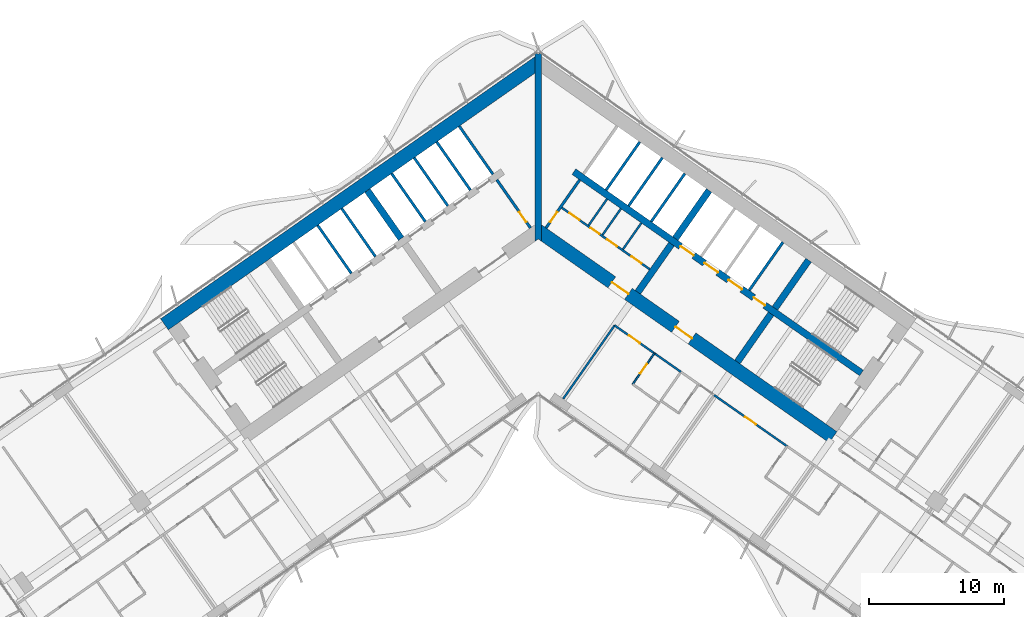
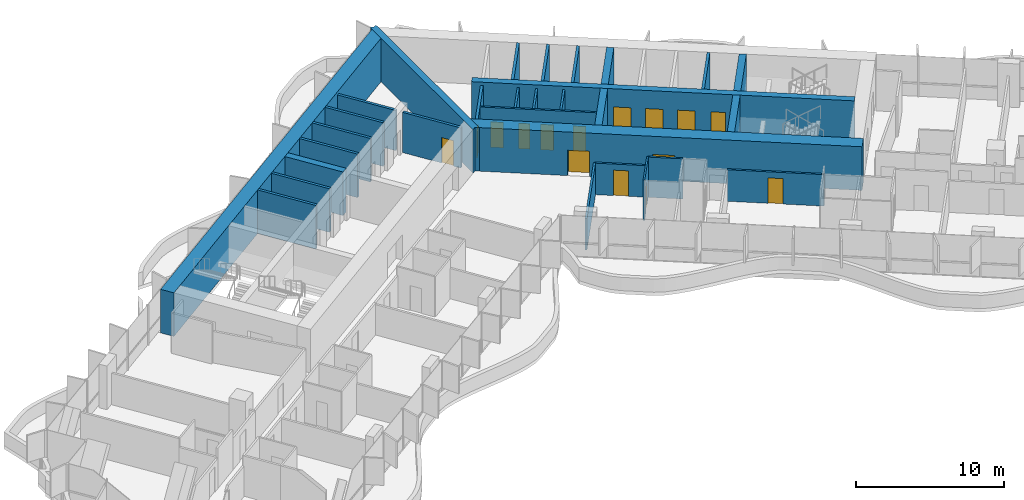
# One storey, part 14 of 23: 30 walls, 15 doors, 15 openings.
"""IFC4 building model written with IfcOpenShell, lengths in metres."""

from ifc_helpers import new_model, si_unit, direction, frame, frame_2d, origin, place, context, subcontext, project, spatial, polyline, rectangle, outline, extrude, material, layer, layer_set, type_object, element, fill, save


model = new_model("IFC4")

# Units and contexts
model_context = context("Model", 3, precision=1e-05, world=origin(), true_north=direction((0.0, 1.0)))
body_context = subcontext(model_context, "Body", "Model", "MODEL_VIEW")
ifc_project = project(units=[si_unit("LENGTHUNIT", "METRE"), si_unit("AREAUNIT", "SQUARE_METRE"), si_unit("VOLUMEUNIT", "CUBIC_METRE"), si_unit("PLANEANGLEUNIT", "RADIAN"), si_unit("MASSUNIT", "GRAM", prefix="KILO")], contexts=[model_context])

# Site, building, storey
site_placement = place(None, origin())
site = spatial("IfcSite", under=ifc_project, at=site_placement, CompositionType="ELEMENT")
building_placement = place(site_placement, origin())
building = spatial("IfcBuilding", under=site, at=building_placement, Name="Tel Ilan Convention Tower", CompositionType="ELEMENT")
storey_placement = place(building_placement, frame((0.0, 0.0, 94.10009765625)))
storey = spatial("IfcBuildingStorey", under=building, at=storey_placement, Name="L19", CompositionType="ELEMENT", Elevation=94.10009765625)

# Wall, openings, doors
ifc_material_1 = material(Name="Gypsum Plasterboard on Steel Stud", Category="steel")
ifc_layer_1 = layer(ifc_material_1, 0.14990234375)
ifc_layer_set_1 = layer_set([ifc_layer_1], Name="Core Room Partition Wall 150 mm EI 60")
wall_type_1 = type_object("IfcWallType", Name="Core Room Partition Wall 150 mm EI 60", PredefinedType="PARTITIONING", material=ifc_layer_set_1)
wall_1_placement = place(storey_placement, frame((1.7451171875, 1.097412109375, 0.0), z_axis=(0.0, 0.0, 1.0), x_axis=(0.819156890572, -0.573569515079, 0.0)))
wall_1 = element("IfcWall", 1, at=wall_1_placement, inside=storey, type_object=wall_type_1, Name="L19 core wall wc-h1", PredefinedType="PARTITIONING", context=body_context, shape_type="SweptSolid", body=[
    extrude(rectangle(XDim=7.949951171875, YDim=0.14990234375, at=frame_2d((3.97509765625, 0.0))), origin(), (0.0, 0.0, 1.0), 3.31982421875),
])
opening_1_placement = place(wall_1_placement, frame((0.699951171875, 0.0, 0.0)))
opening_1 = element("IfcOpeningElement", 2, at=opening_1_placement, cuts=wall_1, Name="Opening CD1710", PredefinedType="OPENING", context=body_context, shape_type="SweptSolid", body=[
    extrude(rectangle(XDim=0.89990234375, YDim=2.10009765625, at=frame_2d((0.449951171875, 1.050048828125))), frame((0.0, 0.0849609375, 0.0), z_axis=(0.0, -1.0, 0.0), x_axis=(1.0, 0.0, 0.0)), (0.0, 0.0, 1.0), 0.169921875),
])
opening_2_placement = place(wall_1_placement, frame((2.60009765625, 0.0, 0.0)))
opening_2 = element("IfcOpeningElement", 3, at=opening_2_placement, cuts=wall_1, Name="Opening CD1709", PredefinedType="OPENING", context=body_context, shape_type="SweptSolid", body=[
    extrude(rectangle(XDim=0.800048828125, YDim=2.10009765625, at=frame_2d((0.39990234375, 1.050048828125))), frame((0.0, 0.0849609375, 0.0), z_axis=(0.0, -1.0, 0.0), x_axis=(1.0, 0.0, 0.0)), (0.0, 0.0, 1.0), 0.169921875),
])
opening_3_placement = place(wall_1_placement, frame((4.10009765625, 0.0, 0.0)))
opening_3 = element("IfcOpeningElement", 4, at=opening_3_placement, cuts=wall_1, Name="Opening CD1708", PredefinedType="OPENING", context=body_context, shape_type="SweptSolid", body=[
    extrude(rectangle(XDim=0.89990234375, YDim=2.10009765625, at=frame_2d((0.449951171875, 1.050048828125))), frame((0.0, 0.0849609375, 0.0), z_axis=(0.0, -1.0, 0.0), x_axis=(1.0, 0.0, 0.0)), (0.0, 0.0, 1.0), 0.169921875),
])
opening_4_placement = place(wall_1_placement, frame((6.300048828125, 0.0, 0.0)))
opening_4 = element("IfcOpeningElement", 5, at=opening_4_placement, cuts=wall_1, Name="Opening CD1711", PredefinedType="OPENING", context=body_context, shape_type="SweptSolid", body=[
    extrude(rectangle(XDim=0.89990234375, YDim=2.10009765625, at=frame_2d((0.449951171875, 1.050048828125))), frame((0.0, 0.0849609375, 0.0), z_axis=(0.0, -1.0, 0.0), x_axis=(1.0, 0.0, 0.0)), (0.0, 0.0, 1.0), 0.169921875),
])
ifc_material_2 = material(Name="Galvanised Steel Door Leaf", Category="steel")
door_type_1 = type_object("IfcDoorType", Name="Store Door 800 x 2100 FD60", OperationType="NOTDEFINED", PredefinedType="DOOR", material=ifc_material_2)
door_1_placement = place(opening_2_placement, origin())
door_1 = element("IfcDoor", 6, at=door_1_placement, inside=storey, type_object=door_type_1, Name="Cleaner's store door", OperationType="SINGLE_SWING_RIGHT", OverallHeight=2.10009765625, OverallWidth=0.800048828125, PredefinedType="DOOR", context=body_context, shape_type="SweptSolid", body=[
    extrude(rectangle(XDim=0.800048828125, YDim=2.10009765625, at=frame_2d((0.39990234375, 1.050048828125))), frame((0.0, 0.02490234375, 0.0), z_axis=(0.0, -1.0, 0.0), x_axis=(1.0, 0.0, 0.0)), (0.0, 0.0, 1.0), 0.050048828125),
])
fill(opening_2, door_1)
ifc_material_3 = material(Name="Laminated Timber Door Leaf", Category="wood")
door_type_2 = type_object("IfcDoorType", Name="Toilet Door 900 x 2100 FD30S", OperationType="NOTDEFINED", PredefinedType="DOOR", material=ifc_material_3)
door_2_placement = place(opening_1_placement, origin())
door_2 = element("IfcDoor", 7, at=door_2_placement, inside=storey, type_object=door_type_2, Name="Men's WC door", OperationType="SINGLE_SWING_RIGHT", OverallHeight=2.10009765625, OverallWidth=0.89990234375, PredefinedType="DOOR", context=body_context, shape_type="SweptSolid", body=[
    extrude(rectangle(XDim=0.89990234375, YDim=2.10009765625, at=frame_2d((0.449951171875, 1.050048828125))), frame((0.0, 0.02490234375, 0.0), z_axis=(0.0, -1.0, 0.0), x_axis=(1.0, 0.0, 0.0)), (0.0, 0.0, 1.0), 0.050048828125),
])
fill(opening_1, door_2)
door_3_placement = place(opening_3_placement, origin())
door_3 = element("IfcDoor", 8, at=door_3_placement, inside=storey, type_object=door_type_2, Name="Accessible WC door", OperationType="SINGLE_SWING_RIGHT", OverallHeight=2.10009765625, OverallWidth=0.89990234375, PredefinedType="DOOR", context=body_context, shape_type="SweptSolid", body=[
    extrude(rectangle(XDim=0.89990234375, YDim=2.10009765625, at=frame_2d((0.449951171875, 1.050048828125))), frame((0.0, 0.02490234375, 0.0), z_axis=(0.0, -1.0, 0.0), x_axis=(1.0, 0.0, 0.0)), (0.0, 0.0, 1.0), 0.050048828125),
])
fill(opening_3, door_3)
door_4_placement = place(opening_4_placement, origin())
door_4 = element("IfcDoor", 9, at=door_4_placement, inside=storey, type_object=door_type_2, Name="Women's WC door", OperationType="SINGLE_SWING_RIGHT", OverallHeight=2.10009765625, OverallWidth=0.89990234375, PredefinedType="DOOR", context=body_context, shape_type="SweptSolid", body=[
    extrude(rectangle(XDim=0.89990234375, YDim=2.10009765625, at=frame_2d((0.449951171875, 1.050048828125))), frame((0.0, 0.02490234375, 0.0), z_axis=(0.0, -1.0, 0.0), x_axis=(1.0, 0.0, 0.0)), (0.0, 0.0, 1.0), 0.050048828125),
])
fill(opening_4, door_4)

# Walls
for number, where, z_axis, x_axis, name in (
    (10, (3.733642578125, -0.203369140625, 0.0), (0.0, 0.0, 1.0), (0.573579618003, 0.819149816463, 0.0), "L19 core wall wc-v0"),
    (11, (4.757568359375, -0.92041015625, 0.0), (0.0, 0.0, 1.0), (0.573579618003, 0.819149816463, 0.0), "L19 core wall wc-v1"),
    (12, (6.27294921875, -1.9814453125, 0.0), (0.0, 0.0, 1.0), (0.573579618003, 0.819149816463, 0.0), "L19 core wall wc-v2"),
):
    element("IfcWall", number, at=place(storey_placement, frame(where, z_axis=z_axis, x_axis=x_axis)), inside=storey, type_object=wall_type_1, Name=name, PredefinedType="PARTITIONING", context=body_context, shape_type="SweptSolid", body=[
        extrude(rectangle(XDim=2.375, YDim=0.14990234375, at=frame_2d((1.1875, 0.0))), origin(), (0.0, 0.0, 1.0), 3.31982421875),
    ])

# Wall, opening, door
ifc_material_4 = material(Name="Concrete C30/37", Category="concrete")
ifc_layer_2 = layer(ifc_material_4, 0.199951171875)
ifc_layer_set_2 = layer_set([ifc_layer_2], Name="Core Service Room Wall 200 mm C30/37")
wall_type_2 = type_object("IfcWallType", Name="Core Service Room Wall 200 mm C30/37", PredefinedType="SOLIDWALL", material=ifc_layer_set_2)
wall_2_placement = place(storey_placement, frame((-0.573486328125, -0.401611328125, 0.0), z_axis=(0.0, 0.0, 1.0), x_axis=(-0.57356780395, 0.819158088694, 0.0)))
wall_2 = element("IfcWall", 13, at=wall_2_placement, inside=storey, type_object=wall_type_2, Name="L19 core wall apex-W", PredefinedType="SOLIDWALL", context=body_context, shape_type="SweptSolid", body=[
    extrude(rectangle(XDim=4.35009765625, YDim=0.199951171875, at=frame_2d((2.175048828125, 0.0))), origin(), (0.0, 0.0, 1.0), 3.31982421875),
])
opening_5_placement = place(wall_2_placement, frame((0.550048828125, 0.0, 0.0)))
opening_5 = element("IfcOpeningElement", 14, at=opening_5_placement, cuts=wall_2, Name="Opening CD1702", PredefinedType="OPENING", context=body_context, shape_type="SweptSolid", body=[
    extrude(rectangle(XDim=0.89990234375, YDim=2.10009765625, at=frame_2d((0.449951171875, 1.050048828125))), frame((0.0, 0.10986328125, 0.0), z_axis=(0.0, -1.0, 0.0), x_axis=(1.0, 0.0, 0.0)), (0.0, 0.0, 1.0), 0.219970703125),
])
ifc_material_5 = material(Name="Galvanised Steel Door Leaf", Category="steel")
door_type_3 = type_object("IfcDoorType", Name="Service Room Door 900 x 2100 FD60", OperationType="NOTDEFINED", PredefinedType="DOOR", material=ifc_material_5)
door_5_placement = place(opening_5_placement, origin())
door_5 = element("IfcDoor", 15, at=door_5_placement, inside=storey, type_object=door_type_3, Name="Riser Room door", OperationType="SINGLE_SWING_RIGHT", OverallHeight=2.10009765625, OverallWidth=0.89990234375, PredefinedType="DOOR", context=body_context, shape_type="SweptSolid", body=[
    extrude(rectangle(XDim=0.89990234375, YDim=2.10009765625, at=frame_2d((0.449951171875, 1.050048828125))), frame((0.0, 0.02490234375, 0.0), z_axis=(0.0, -1.0, 0.0), x_axis=(1.0, 0.0, 0.0)), (0.0, 0.0, 1.0), 0.050048828125),
])
fill(opening_5, door_5)

# Wall
wall_3_placement = place(storey_placement, frame((-3.355224609375, 3.5712890625, 0.0), z_axis=(0.0, 0.0, 1.0), x_axis=(-0.57356780395, 0.819158088694, 0.0)))
element("IfcWall", 16, at=wall_3_placement, inside=storey, type_object=wall_type_2, Name="L19 core wall apex-W-b", PredefinedType="SOLIDWALL", context=body_context, shape_type="SweptSolid", body=[
    extrude(rectangle(XDim=4.35009765625, YDim=0.199951171875, at=frame_2d((2.175048828125, 0.0))), origin(), (0.0, 0.0, 1.0), 3.31982421875),
])

# Wall, opening, door
wall_4_placement = place(storey_placement, frame((0.573486328125, -0.401611328125, 0.0), z_axis=(0.0, 0.0, 1.0), x_axis=(0.57356780395, 0.819158088694, 0.0)))
wall_4 = element("IfcWall", 17, at=wall_4_placement, inside=storey, type_object=wall_type_2, Name="L19 core wall apex-E", PredefinedType="SOLIDWALL", context=body_context, shape_type="SweptSolid", body=[
    extrude(rectangle(XDim=4.35009765625, YDim=0.199951171875, at=frame_2d((2.175048828125, 0.0))), origin(), (0.0, 0.0, 1.0), 3.31982421875),
])
opening_6_placement = place(wall_4_placement, frame((0.550048828125, 0.0, 0.0)))
opening_6 = element("IfcOpeningElement", 18, at=opening_6_placement, cuts=wall_4, Name="Opening CD1701", PredefinedType="OPENING", context=body_context, shape_type="SweptSolid", body=[
    extrude(rectangle(XDim=0.89990234375, YDim=2.10009765625, at=frame_2d((0.449951171875, 1.050048828125))), frame((0.0, 0.10986328125, 0.0), z_axis=(0.0, -1.0, 0.0), x_axis=(1.0, 0.0, 0.0)), (0.0, 0.0, 1.0), 0.219970703125),
])
door_6_placement = place(opening_6_placement, origin())
door_6 = element("IfcDoor", 19, at=door_6_placement, inside=storey, type_object=door_type_3, Name="Electrical Room door", OperationType="SINGLE_SWING_RIGHT", OverallHeight=2.10009765625, OverallWidth=0.89990234375, PredefinedType="DOOR", context=body_context, shape_type="SweptSolid", body=[
    extrude(rectangle(XDim=0.89990234375, YDim=2.10009765625, at=frame_2d((0.449951171875, 1.050048828125))), frame((0.0, 0.02490234375, 0.0), z_axis=(0.0, -1.0, 0.0), x_axis=(1.0, 0.0, 0.0)), (0.0, 0.0, 1.0), 0.050048828125),
])
fill(opening_6, door_6)

# Wall
ifc_material_6 = material(Name="Concrete C60/75", Category="concrete")
ifc_layer_3 = layer(ifc_material_6, 1.0)
ifc_layer_set_3 = layer_set([ifc_layer_3], Name="Core Shear Wall 1000 mm C60/75")
wall_type_3 = type_object("IfcWallType", Name="Core Shear Wall 1000 mm C60/75", PredefinedType="SHEAR", material=ifc_layer_set_3)
wall_5_placement = place(storey_placement, frame((0.036865234375, 11.8671875, 0.0), z_axis=(0.0, 0.0, 1.0), x_axis=(-0.819155306259, -0.573571777746, 0.0)))
element("IfcWall", 20, at=wall_5_placement, inside=storey, type_object=wall_type_3, Name="L19 core wall W-back", PredefinedType="SHEAR", context=body_context, shape_type="SweptSolid", body=[
    extrude(outline(polyline([(33.8369140625, 0.5), (0.7001953125, 0.499755859375), (0.0, -0.5), (33.8369140625, -0.5), (33.8369140625, 0.5)])), origin(), (0.0, 0.0, 1.0), 3.599853515625),
])

# Wall, openings, doors
wall_6_placement = place(storey_placement, frame((-0.036865234375, -0.584716796875, 0.0), z_axis=(0.0, 0.0, 1.0), x_axis=(0.819157152511, -0.573569140985, 0.0)))
wall_6 = element("IfcWall", 21, at=wall_6_placement, inside=storey, type_object=wall_type_3, Name="L19 core wall E-front", PredefinedType="SHEAR", context=body_context, shape_type="SweptSolid", body=[
    extrude(outline(polyline([(26.69482421875, 0.499755859375), (0.0, 0.5), (0.7001953125, -0.499755859375), (26.69482421875, -0.500244140625), (26.69482421875, 0.499755859375)])), origin(), (0.0, 0.0, 1.0), 3.599853515625),
])
opening_7_placement = place(wall_6_placement, frame((6.69482421875, 0.0, 0.0)))
opening_7 = element("IfcOpeningElement", 22, at=opening_7_placement, cuts=wall_6, Name="Opening CD1703", PredefinedType="OPENING", context=body_context, shape_type="SweptSolid", body=[
    extrude(rectangle(XDim=1.5, YDim=2.10009765625, at=frame_2d((0.75, 1.050048828125))), frame((0.0, 0.510009765625, 0.0), z_axis=(0.0, -1.0, 0.0), x_axis=(1.0, 0.0, 0.0)), (0.0, 0.0, 1.0), 1.02001953125),
])
opening_8_placement = place(wall_6_placement, frame((12.44482421875, 0.0, 0.0)))
opening_8 = element("IfcOpeningElement", 23, at=opening_8_placement, cuts=wall_6, Name="Opening CD1704", PredefinedType="OPENING", context=body_context, shape_type="SweptSolid", body=[
    extrude(rectangle(XDim=1.5, YDim=2.10009765625, at=frame_2d((0.75, 1.050048828125))), frame((0.0, 0.510009765625, 0.0), z_axis=(0.0, -1.0, 0.0), x_axis=(1.0, 0.0, 0.0)), (0.0, 0.0, 1.0), 1.02001953125),
])
ifc_material_7 = material(Name="Glazed Aluminium Door Leaf", Category="aluminium")
door_type_4 = type_object("IfcDoorType", Name="Lobby Opening Door 1500 x 2100 FD60S", OperationType="NOTDEFINED", PredefinedType="DOOR", material=ifc_material_7)
door_7_placement = place(opening_8_placement, origin())
door_7 = element("IfcDoor", 24, at=door_7_placement, inside=storey, type_object=door_type_4, Name="Firefighting Lobby door", OperationType="DOUBLE_DOOR_SINGLE_SWING", OverallHeight=2.10009765625, OverallWidth=1.5, PredefinedType="DOOR", context=body_context, shape_type="SweptSolid", body=[
    extrude(rectangle(XDim=1.5, YDim=2.10009765625, at=frame_2d((0.75, 1.050048828125))), frame((0.0, 0.02490234375, 0.0), z_axis=(0.0, -1.0, 0.0), x_axis=(1.0, 0.0, 0.0)), (0.0, 0.0, 1.0), 0.050048828125),
])
fill(opening_8, door_7)
ifc_material_8 = material(Name="Laminated Timber Door Leaf", Category="wood")
door_type_5 = type_object("IfcDoorType", Name="Toilet Door 1500 x 2100 FD30S", OperationType="NOTDEFINED", PredefinedType="DOOR", material=ifc_material_8)
door_8_placement = place(opening_7_placement, origin())
door_8 = element("IfcDoor", 25, at=door_8_placement, inside=storey, type_object=door_type_5, Name="WC Lobby door", OperationType="SINGLE_SWING_RIGHT", OverallHeight=2.10009765625, OverallWidth=1.5, PredefinedType="DOOR", context=body_context, shape_type="SweptSolid", body=[
    extrude(rectangle(XDim=1.5, YDim=2.10009765625, at=frame_2d((0.75, 1.050048828125))), frame((0.0, 0.02490234375, 0.0), z_axis=(0.0, -1.0, 0.0), x_axis=(1.0, 0.0, 0.0)), (0.0, 0.0, 1.0), 0.050048828125),
])
fill(opening_7, door_8)

# Walls
ifc_material_9 = material(Name="Concrete C60/75", Category="concrete")
ifc_layer_4 = layer(ifc_material_9, 0.5)
ifc_layer_set_4 = layer_set([ifc_layer_4], Name="Core Shear Wall 500 mm C60/75")
wall_type_4 = type_object("IfcWallType", Name="Core Shear Wall 500 mm C60/75", PredefinedType="SHEAR", material=ifc_layer_set_4)
wall_7_placement = place(storey_placement, frame((-10.154296875, -1.189208984375, 0.0), z_axis=(0.0, 0.0, 1.0), x_axis=(-0.573594173421, 0.819139624372, 0.0)))
element("IfcWall", 26, at=wall_7_placement, inside=storey, type_object=wall_type_4, Name="L19 core wall W-cross1-2", PredefinedType="SHEAR", context=body_context, shape_type="SweptSolid", body=[
    extrude(outline(polyline([(4.349853515625, -0.25), (4.349853515625, 0.25), (-0.000244140625, 0.25), (-0.000244140625, -0.25), (4.349853515625, -0.25)])), origin(), (0.0, 0.0, 1.0), 3.599853515625),
])
wall_8_placement = place(storey_placement, frame((7.372314453125, -5.162109375, 0.0), z_axis=(0.0, 0.0, 1.0), x_axis=(0.573594173421, 0.819139624372, 0.0)))
element("IfcWall", 27, at=wall_8_placement, inside=storey, type_object=wall_type_4, Name="L19 core wall E-cross1-1", PredefinedType="SHEAR", context=body_context, shape_type="SweptSolid", body=[
    extrude(outline(polyline([(0.0, 0.25), (0.0, -0.250244140625), (4.349853515625, -0.25), (4.349853515625, 0.25), (0.0, 0.25)])), origin(), (0.0, 0.0, 1.0), 3.599853515625),
])
wall_9_placement = place(storey_placement, frame((10.154296875, -1.189208984375, 0.0), z_axis=(0.0, 0.0, 1.0), x_axis=(0.573594173421, 0.819139624372, 0.0)))
element("IfcWall", 28, at=wall_9_placement, inside=storey, type_object=wall_type_4, Name="L19 core wall E-cross1-2", PredefinedType="SHEAR", context=body_context, shape_type="SweptSolid", body=[
    extrude(outline(polyline([(4.349853515625, -0.25), (4.349853515625, 0.25), (-0.000244140625, 0.25), (-0.000244140625, -0.25), (4.349853515625, -0.25)])), origin(), (0.0, 0.0, 1.0), 3.599853515625),
])
wall_10_placement = place(storey_placement, frame((14.74462890625, -10.324462890625, 0.0), z_axis=(0.0, 0.0, 1.0), x_axis=(0.57356780395, 0.819158088694, 0.0)))
element("IfcWall", 29, at=wall_10_placement, inside=storey, type_object=wall_type_4, Name="L19 core wall E-cross2-1", PredefinedType="SHEAR", context=body_context, shape_type="SweptSolid", body=[
    extrude(outline(polyline([(0.0, 0.25), (0.0, -0.25), (4.35009765625, -0.250244140625), (4.35009765625, 0.25), (0.0, 0.25)])), origin(), (0.0, 0.0, 1.0), 3.599853515625),
])
wall_11_placement = place(storey_placement, frame((17.526611328125, -6.3515625, 0.0), z_axis=(0.0, 0.0, 1.0), x_axis=(0.573530143085, 0.819184457233, 0.0)))
element("IfcWall", 30, at=wall_11_placement, inside=storey, type_object=wall_type_4, Name="L19 core wall E-cross2-2", PredefinedType="SHEAR", context=body_context, shape_type="SweptSolid", body=[
    extrude(outline(polyline([(4.35009765625, -0.250244140625), (4.35009765625, 0.249755859375), (0.0, 0.25), (0.0, -0.25), (4.35009765625, -0.250244140625)])), origin(), (0.0, 0.0, 1.0), 3.599853515625),
])

# Wall, openings, doors
wall_12_placement = place(storey_placement, frame((2.638427734375, 3.76806640625, 0.0), z_axis=(0.0, 0.0, 1.0), x_axis=(0.819148977158, -0.573580816643, 0.0)))
wall_12 = element("IfcWall", 31, at=wall_12_placement, inside=storey, type_object=wall_type_4, Name="L19 core wall E-spine", PredefinedType="SHEAR", context=body_context, shape_type="SweptSolid", body=[
    extrude(outline(polyline([(0.0, 0.25), (0.0, -0.25), (26.0, -0.249755859375), (26.0, 0.250244140625), (0.0, 0.25)])), origin(), (0.0, 0.0, 1.0), 3.599853515625),
])
opening_9_placement = place(wall_12_placement, frame((9.637451171875, 0.0, 0.0)))
opening_9 = element("IfcOpeningElement", 32, at=opening_9_placement, cuts=wall_12, Name="Opening LD1701", PredefinedType="OPENING", context=body_context, shape_type="SweptSolid", body=[
    extrude(rectangle(XDim=1.199951171875, YDim=2.10009765625, at=frame_2d((0.60009765625, 1.050048828125))), frame((0.0, 0.260009765625, 0.0), z_axis=(0.0, -1.0, 0.0), x_axis=(1.0, 0.0, 0.0)), (0.0, 0.0, 1.0), 0.52001953125),
])
opening_10_placement = place(wall_12_placement, frame((11.8125, 0.0, 0.0)))
opening_10 = element("IfcOpeningElement", 33, at=opening_10_placement, cuts=wall_12, Name="Opening LD1702", PredefinedType="OPENING", context=body_context, shape_type="SweptSolid", body=[
    extrude(rectangle(XDim=1.199951171875, YDim=2.10009765625, at=frame_2d((0.60009765625, 1.050048828125))), frame((0.0, 0.260009765625, 0.0), z_axis=(0.0, -1.0, 0.0), x_axis=(1.0, 0.0, 0.0)), (0.0, 0.0, 1.0), 0.52001953125),
])
opening_11_placement = place(wall_12_placement, frame((13.987548828125, 0.0, 0.0)))
opening_11 = element("IfcOpeningElement", 34, at=opening_11_placement, cuts=wall_12, Name="Opening LD1703", PredefinedType="OPENING", context=body_context, shape_type="SweptSolid", body=[
    extrude(rectangle(XDim=1.199951171875, YDim=2.10009765625, at=frame_2d((0.60009765625, 1.050048828125))), frame((0.0, 0.260009765625, 0.0), z_axis=(0.0, -1.0, 0.0), x_axis=(1.0, 0.0, 0.0)), (0.0, 0.0, 1.0), 0.52001953125),
])
opening_12_placement = place(wall_12_placement, frame((16.262451171875, 0.0, 0.0)))
opening_12 = element("IfcOpeningElement", 35, at=opening_12_placement, cuts=wall_12, Name="Opening CD1707", PredefinedType="OPENING", context=body_context, shape_type="SweptSolid", body=[
    extrude(rectangle(XDim=1.0, YDim=2.10009765625, at=frame_2d((0.5, 1.050048828125))), frame((0.0, 0.260009765625, 0.0), z_axis=(0.0, -1.0, 0.0), x_axis=(1.0, 0.0, 0.0)), (0.0, 0.0, 1.0), 0.52001953125),
])
ifc_material_10 = material(Name="Stainless Steel Sliding Door Leaf", Category="steel")
door_type_6 = type_object("IfcDoorType", Name="Lift Landing Door 1200 x 2100 FD120", OperationType="NOTDEFINED", PredefinedType="DOOR", material=ifc_material_10)
door_9_placement = place(opening_9_placement, origin())
door_9 = element("IfcDoor", 36, at=door_9_placement, inside=storey, type_object=door_type_6, Name="Lift FL1 landing door", OperationType="SLIDING_TO_LEFT", OverallHeight=2.10009765625, OverallWidth=1.199951171875, PredefinedType="DOOR", context=body_context, shape_type="SweptSolid", body=[
    extrude(rectangle(XDim=1.199951171875, YDim=2.10009765625, at=frame_2d((0.60009765625, 1.050048828125))), frame((0.0, 0.02490234375, 0.0), z_axis=(0.0, -1.0, 0.0), x_axis=(1.0, 0.0, 0.0)), (0.0, 0.0, 1.0), 0.050048828125),
])
fill(opening_9, door_9)
door_10_placement = place(opening_10_placement, origin())
door_10 = element("IfcDoor", 37, at=door_10_placement, inside=storey, type_object=door_type_6, Name="Lift FL2 landing door", OperationType="SLIDING_TO_RIGHT", OverallHeight=2.10009765625, OverallWidth=1.199951171875, PredefinedType="DOOR", context=body_context, shape_type="SweptSolid", body=[
    extrude(rectangle(XDim=1.199951171875, YDim=2.10009765625, at=frame_2d((0.60009765625, 1.050048828125))), frame((0.0, 0.02490234375, 0.0), z_axis=(0.0, -1.0, 0.0), x_axis=(1.0, 0.0, 0.0)), (0.0, 0.0, 1.0), 0.050048828125),
])
fill(opening_10, door_10)
door_11_placement = place(opening_11_placement, origin())
door_11 = element("IfcDoor", 38, at=door_11_placement, inside=storey, type_object=door_type_6, Name="Lift FL3 landing door", OperationType="SLIDING_TO_LEFT", OverallHeight=2.10009765625, OverallWidth=1.199951171875, PredefinedType="DOOR", context=body_context, shape_type="SweptSolid", body=[
    extrude(rectangle(XDim=1.199951171875, YDim=2.10009765625, at=frame_2d((0.60009765625, 1.050048828125))), frame((0.0, 0.02490234375, 0.0), z_axis=(0.0, -1.0, 0.0), x_axis=(1.0, 0.0, 0.0)), (0.0, 0.0, 1.0), 0.050048828125),
])
fill(opening_11, door_11)
ifc_material_11 = material(Name="Galvanised Steel Door Leaf", Category="steel")
door_type_7 = type_object("IfcDoorType", Name="Service Room Door 1000 x 2100 FD60", OperationType="NOTDEFINED", PredefinedType="DOOR", material=ifc_material_11)
door_12_placement = place(opening_12_placement, origin())
door_12 = element("IfcDoor", 39, at=door_12_placement, inside=storey, type_object=door_type_7, Name="Plant Room door", OperationType="SINGLE_SWING_RIGHT", OverallHeight=2.10009765625, OverallWidth=1.0, PredefinedType="DOOR", context=body_context, shape_type="SweptSolid", body=[
    extrude(rectangle(XDim=1.0, YDim=2.10009765625, at=frame_2d((0.5, 1.050048828125))), frame((0.0, 0.02490234375, 0.0), z_axis=(0.0, -1.0, 0.0), x_axis=(1.0, 0.0, 0.0)), (0.0, 0.0, 1.0), 0.050048828125),
])
fill(opening_12, door_12)

# Wall
wall_13_placement = place(storey_placement, frame((0.0, -1.395751953125, 0.0), z_axis=(0.0, 0.0, 1.0), x_axis=(0.0, 1.0, 0.0)))
element("IfcWall", 40, at=wall_13_placement, inside=storey, type_object=wall_type_4, Name="L19 core wall K-central", PredefinedType="SHEAR", context=body_context, shape_type="SweptSolid", body=[
    extrude(outline(polyline([(0.0, -0.25), (0.175048828125, -0.25), (1.220703125, -0.25), (12.451904296875, -0.25), (13.84765625, -0.25), (13.85693359375, -0.25), (13.96826171875, -0.172119140625), (13.84765625, 0.0), (13.96826171875, 0.172119140625), (13.85693359375, 0.25), (13.84765625, 0.25), (12.451904296875, 0.25), (1.220703125, 0.25), (0.175048828125, 0.25), (0.0, 0.25), (0.175048828125, 0.0), (0.0, -0.25)])), origin(), (0.0, 0.0, 1.0), 3.599853515625),
])

# Wall, opening, door
ifc_material_12 = material(Name="Plasterboard on Steel Studs", Category="steel")
ifc_layer_5 = layer(ifc_material_12, 0.14990234375)
ifc_layer_set_5 = layer_set([ifc_layer_5], Name="Fire-rated Partition 150 EI 60")
wall_type_5 = type_object("IfcWallType", Name="Fire-rated Partition 150 EI 60", PredefinedType="PARTITIONING", material=ifc_layer_set_5)
wall_14_placement = place(storey_placement, frame((8.601318359375, -9.68505859375, 0.0), z_axis=(0.0, 0.0, 1.0), x_axis=(-0.819149096931, 0.573580645591, 0.0)))
wall_14 = element("IfcWall", 41, at=wall_14_placement, inside=storey, type_object=wall_type_5, Name="Partition 008", PredefinedType="PARTITIONING", context=body_context, shape_type="SweptSolid", body=[
    extrude(rectangle(XDim=3.600830078125, YDim=0.14990234375, at=frame_2d((1.80029296875, 0.0))), origin(), (0.0, 0.0, 1.0), 2.599853515625),
])
opening_13_placement = place(wall_14_placement, frame((1.301025390625, 0.0, 0.0)))
opening_13 = element("IfcOpeningElement", 42, at=opening_13_placement, cuts=wall_14, Name="Opening L19-017", PredefinedType="OPENING", context=body_context, shape_type="SweptSolid", body=[
    extrude(rectangle(XDim=1.0, YDim=2.10009765625, at=frame_2d((0.5, 1.050048828125))), frame((0.0, 0.0849609375, 0.0), z_axis=(0.0, -1.0, 0.0), x_axis=(1.0, 0.0, 0.0)), (0.0, 0.0, 1.0), 0.169921875),
])
ifc_material_13 = material(Name="Timber Door Leaf in Steel Frame", Category="steel")
door_type_8 = type_object("IfcDoorType", Name="Hotel Room Entrance Fire Door 1000x2100", OperationType="NOTDEFINED", PredefinedType="DOOR", material=ifc_material_13)
door_13_placement = place(opening_13_placement, origin())
door_13 = element("IfcDoor", 43, at=door_13_placement, inside=storey, type_object=door_type_8, Name="Door L19-017", OperationType="SINGLE_SWING_LEFT", OverallHeight=2.10009765625, OverallWidth=1.0, PredefinedType="DOOR", context=body_context, shape_type="SweptSolid", body=[
    extrude(rectangle(XDim=1.0, YDim=2.10009765625, at=frame_2d((0.5, 1.050048828125))), frame((0.0, 0.02490234375, 0.0), z_axis=(0.0, -1.0, 0.0), x_axis=(1.0, 0.0, 0.0)), (0.0, 0.0, 1.0), 0.050048828125),
])
fill(opening_13, door_13)

# Wall
wall_15_placement = place(storey_placement, frame((10.568115234375, -11.062255859375, 0.0), z_axis=(0.0, 0.0, 1.0), x_axis=(-0.819146032251, 0.573585022335, 0.0)))
element("IfcWall", 44, at=wall_15_placement, inside=storey, type_object=wall_type_5, Name="Partition 009", PredefinedType="PARTITIONING", context=body_context, shape_type="SweptSolid", body=[
    extrude(rectangle(XDim=2.404052734375, YDim=0.14990234375, at=frame_2d((1.2021484375, 0.0))), origin(), (0.0, 0.0, 1.0), 3.31982421875),
])

# Wall, opening, door
wall_16_placement = place(storey_placement, frame((18.43115234375, -16.568115234375, 0.0), z_axis=(0.0, 0.0, 1.0), x_axis=(-0.819141582452, 0.573591377113, 0.0)))
wall_16 = element("IfcWall", 45, at=wall_16_placement, inside=storey, type_object=wall_type_5, Name="Partition 012", PredefinedType="PARTITIONING", context=body_context, shape_type="SweptSolid", body=[
    extrude(rectangle(XDim=6.602783203125, YDim=0.14990234375, at=frame_2d((3.30126953125, 0.0))), origin(), (0.0, 0.0, 1.0), 2.599853515625),
])
opening_14_placement = place(wall_16_placement, frame((2.801025390625, 0.0, 0.0)))
opening_14 = element("IfcOpeningElement", 46, at=opening_14_placement, cuts=wall_16, Name="Opening L19-021", PredefinedType="OPENING", context=body_context, shape_type="SweptSolid", body=[
    extrude(rectangle(XDim=1.0, YDim=2.10009765625, at=frame_2d((0.5, 1.050048828125))), frame((0.0, 0.0849609375, 0.0), z_axis=(0.0, -1.0, 0.0), x_axis=(1.0, 0.0, 0.0)), (0.0, 0.0, 1.0), 0.169921875),
])
door_14_placement = place(opening_14_placement, origin())
door_14 = element("IfcDoor", 47, at=door_14_placement, inside=storey, type_object=door_type_8, Name="Door L19-021", OperationType="SINGLE_SWING_RIGHT", OverallHeight=2.10009765625, OverallWidth=1.0, PredefinedType="DOOR", context=body_context, shape_type="SweptSolid", body=[
    extrude(rectangle(XDim=1.0, YDim=2.10009765625, at=frame_2d((0.5, 1.050048828125))), frame((0.0, 0.02490234375, 0.0), z_axis=(0.0, -1.0, 0.0), x_axis=(1.0, 0.0, 0.0)), (0.0, 0.0, 1.0), 0.050048828125),
])
fill(opening_14, door_14)

# Walls
wall_17_placement = place(storey_placement, frame((1.848876953125, -13.050537109375, 0.0), z_axis=(0.0, 0.0, 1.0), x_axis=(0.57357355307, 0.819154063177, 0.0)))
element("IfcWall", 48, at=wall_17_placement, inside=storey, type_object=wall_type_5, Name="Partition 052", PredefinedType="PARTITIONING", context=body_context, shape_type="SweptSolid", body=[
    extrude(rectangle(XDim=6.6298828125, YDim=0.14990234375, at=frame_2d((3.31494140625, 0.0))), origin(), (0.0, 0.0, 1.0), 2.599853515625),
])
ifc_material_14 = material(Name="Concrete C30/37", Category="concrete")
ifc_layer_6 = layer(ifc_material_14, 0.199951171875)
ifc_layer_set_6 = layer_set([ifc_layer_6], Name="Lift Shaft Wall 200 mm C30/37")
wall_type_6 = type_object("IfcWallType", Name="Lift Shaft Wall 200 mm C30/37", PredefinedType="SOLIDWALL", material=ifc_layer_set_6)
wall_18_placement = place(storey_placement, frame((-5.0244140625, 2.402587890625, 0.0), z_axis=(0.0, 0.0, 1.0), x_axis=(-0.573530143085, 0.819184457233, 0.0)))
element("IfcWall", 49, at=wall_18_placement, inside=storey, type_object=wall_type_6, Name="L19 core wall bank-W1-p0", PredefinedType="SOLIDWALL", context=body_context, shape_type="SweptSolid", body=[
    extrude(rectangle(XDim=4.35009765625, YDim=0.199951171875, at=frame_2d((2.175048828125, 0.0))), origin(), (0.0, 0.0, 1.0), 3.599853515625),
])
for number, where, z_axis, x_axis, name in (
    (50, (-6.693359375, 1.234130859375, 0.0), (0.0, 0.0, 1.0), (-0.573594173421, 0.819139624372, 0.0), "L19 core wall bank-W1-p1"),
    (51, (-8.3623046875, 0.0654296875, 0.0), (0.0, 0.0, 1.0), (-0.573594173421, 0.819139624372, 0.0), "L19 core wall bank-W1-p2"),
    (52, (-12.05859375, -2.52294921875, 0.0), (0.0, 0.0, 1.0), (-0.573594173421, 0.819139624372, 0.0), "L19 core wall bank-W2-p0"),
):
    element("IfcWall", number, at=place(storey_placement, frame(where, z_axis=z_axis, x_axis=x_axis)), inside=storey, type_object=wall_type_6, Name=name, PredefinedType="SOLIDWALL", context=body_context, shape_type="SweptSolid", body=[
        extrude(rectangle(XDim=4.349853515625, YDim=0.199951171875, at=frame_2d((2.1748046875, 0.0))), origin(), (0.0, 0.0, 1.0), 3.599853515625),
    ])
for number, where, z_axis, x_axis, name in (
    (53, (-13.84033203125, -3.7705078125, 0.0), (0.0, 0.0, 1.0), (-0.57356780395, 0.819158088694, 0.0), "L19 core wall bank-W2-p1"),
    (54, (5.0244140625, 2.402587890625, 0.0), (0.0, 0.0, 1.0), (0.573530143085, 0.819184457233, 0.0), "L19 core wall bank-E1-p0"),
):
    element("IfcWall", number, at=place(storey_placement, frame(where, z_axis=z_axis, x_axis=x_axis)), inside=storey, type_object=wall_type_6, Name=name, PredefinedType="SOLIDWALL", context=body_context, shape_type="SweptSolid", body=[
        extrude(rectangle(XDim=4.35009765625, YDim=0.199951171875, at=frame_2d((2.175048828125, 0.0))), origin(), (0.0, 0.0, 1.0), 3.599853515625),
    ])
for number, where, z_axis, x_axis, name in (
    (55, (6.693359375, 1.234130859375, 0.0), (0.0, 0.0, 1.0), (0.573594173421, 0.819139624372, 0.0), "L19 core wall bank-E1-p1"),
    (56, (8.3623046875, 0.0654296875, 0.0), (0.0, 0.0, 1.0), (0.573594173421, 0.819139624372, 0.0), "L19 core wall bank-E1-p2"),
    (57, (15.6220703125, -5.017822265625, 0.0), (0.0, 0.0, 1.0), (0.573594173421, 0.819139624372, 0.0), "L19 core wall bank-E2-p2"),
):
    element("IfcWall", number, at=place(storey_placement, frame(where, z_axis=z_axis, x_axis=x_axis)), inside=storey, type_object=wall_type_6, Name=name, PredefinedType="SOLIDWALL", context=body_context, shape_type="SweptSolid", body=[
        extrude(rectangle(XDim=4.349853515625, YDim=0.199951171875, at=frame_2d((2.1748046875, 0.0))), origin(), (0.0, 0.0, 1.0), 3.599853515625),
    ])

# Wall, opening, door
ifc_material_15 = material(Name="Plasterboard on Steel Studs", Category="steel")
ifc_layer_7 = layer(ifc_material_15, 0.1201171875)
ifc_layer_set_7 = layer_set([ifc_layer_7], Name="Moisture-resistant Partition 120")
wall_type_7 = type_object("IfcWallType", Name="Moisture-resistant Partition 120", PredefinedType="PARTITIONING", material=ifc_layer_set_7)
wall_19_placement = place(storey_placement, frame((8.599853515625, -9.683837890625, 0.0), z_axis=(0.0, 0.0, 1.0), x_axis=(-0.573550118428, -0.819170471667, 0.0)))
wall_19 = element("IfcWall", 58, at=wall_19_placement, inside=storey, type_object=wall_type_7, Name="Partition 049", PredefinedType="PARTITIONING", context=body_context, shape_type="SweptSolid", body=[
    extrude(rectangle(XDim=2.800048828125, YDim=0.1201171875, at=frame_2d((1.39990234375, 0.0))), origin(), (0.0, 0.0, 1.0), 3.31982421875),
])
opening_15_placement = place(wall_19_placement, frame((0.97509765625, 0.0, 0.0)))
opening_15 = element("IfcOpeningElement", 59, at=opening_15_placement, cuts=wall_19, Name="Opening L19-016", PredefinedType="OPENING", context=body_context, shape_type="SweptSolid", body=[
    extrude(rectangle(XDim=0.85009765625, YDim=2.050048828125, at=frame_2d((0.425048828125, 1.02490234375))), frame((0.0, 0.070068359375, 0.0), z_axis=(0.0, -1.0, 0.0), x_axis=(1.0, 0.0, 0.0)), (0.0, 0.0, 1.0), 0.14013671875),
])
ifc_material_16 = material(Name="Timber Door Leaf in Steel Frame", Category="steel")
door_type_9 = type_object("IfcDoorType", Name="Bathroom Timber Door 850x2050", OperationType="NOTDEFINED", PredefinedType="DOOR", material=ifc_material_16)
door_15_placement = place(opening_15_placement, origin())
door_15 = element("IfcDoor", 60, at=door_15_placement, inside=storey, type_object=door_type_9, Name="Door L19-016", OperationType="SINGLE_SWING_RIGHT", OverallHeight=2.050048828125, OverallWidth=0.85009765625, PredefinedType="DOOR", context=body_context, shape_type="SweptSolid", body=[
    extrude(rectangle(XDim=0.85009765625, YDim=2.050048828125, at=frame_2d((0.425048828125, 1.02490234375))), frame((0.0, 0.02490234375, 0.0), z_axis=(0.0, -1.0, 0.0), x_axis=(1.0, 0.0, 0.0)), (0.0, 0.0, 1.0), 0.050048828125),
])
fill(opening_15, door_15)

save(model, "model.ifc")
